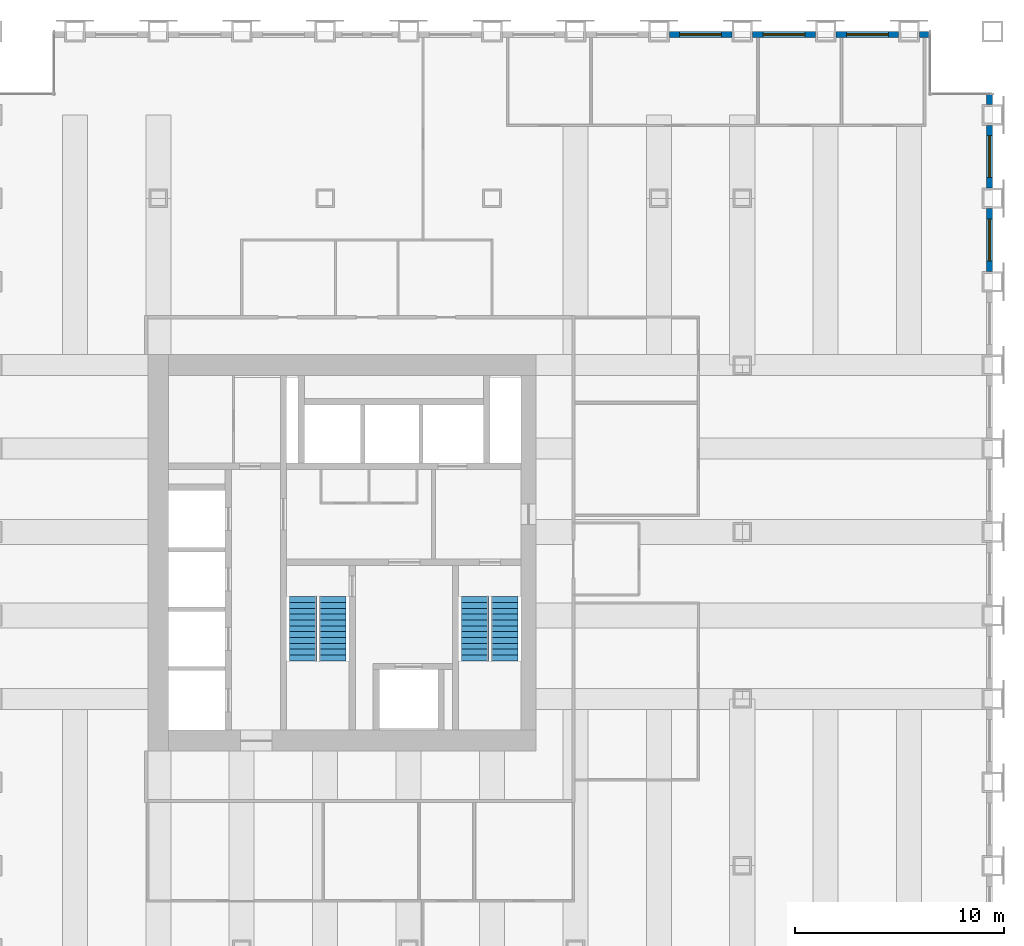
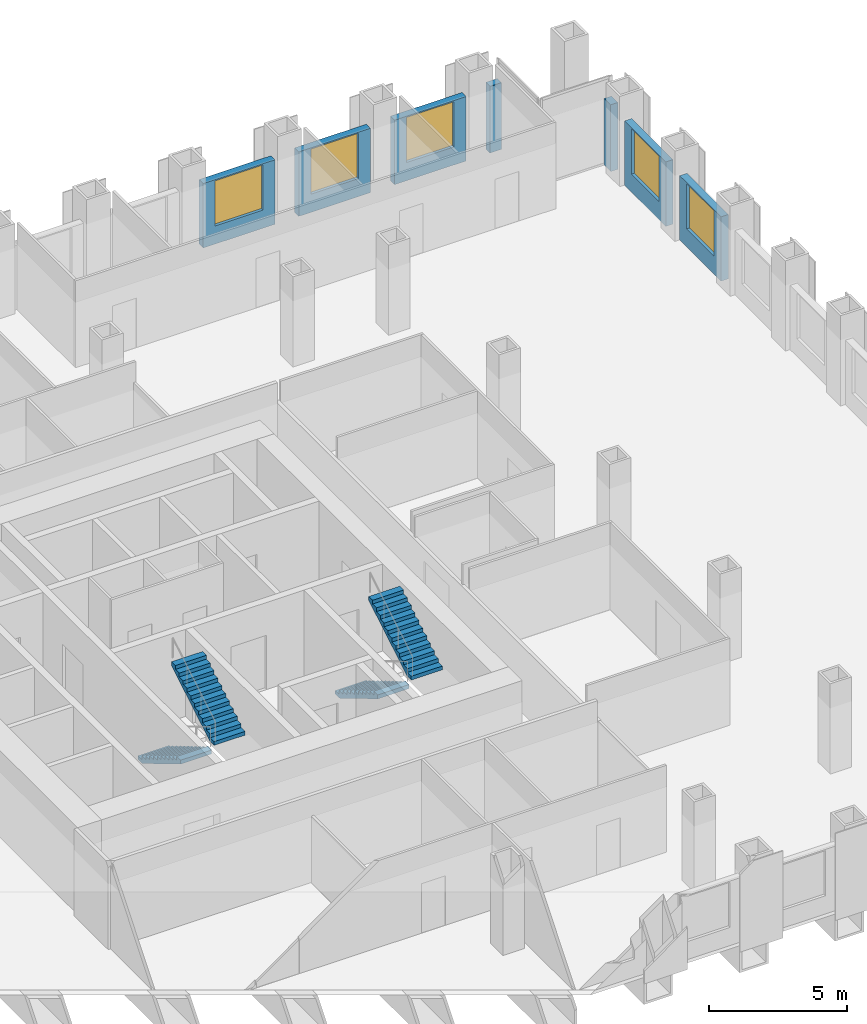
# One storey, part 13 of 14: 7 walls, 5 windows, 4 stair flights, 5 openings, 2 elements without a shape of their own.
"""IFC4 building model written with IfcOpenShell, lengths in metres."""

from ifc_helpers import new_model, si_unit, direction, frame, frame_2d, origin, place, context, subcontext, project, spatial, polyline, rectangle, outline, extrude, material, layer, layer_set, type_object, element, fill, aggregate, save


model = new_model("IFC4")

# Units and contexts
model_context = context("Model", 3, precision=1e-05, world=origin(), true_north=direction((0.0, 1.0)))
body_context = subcontext(model_context, "Body", "Model", "MODEL_VIEW")
ifc_project = project(units=[si_unit("LENGTHUNIT", "METRE"), si_unit("AREAUNIT", "SQUARE_METRE"), si_unit("VOLUMEUNIT", "CUBIC_METRE"), si_unit("PLANEANGLEUNIT", "RADIAN"), si_unit("MASSUNIT", "GRAM", prefix="KILO")], contexts=[model_context])

# Site, building, storey
site_placement = place(None, origin())
site = spatial("IfcSite", under=ifc_project, at=site_placement, CompositionType="ELEMENT")
building_placement = place(site_placement, origin())
building = spatial("IfcBuilding", under=site, at=building_placement, Name="Rimbunsela Tower", CompositionType="ELEMENT")
storey_placement = place(building_placement, frame((0.0, 0.0, 109.39990234375)))
storey = spatial("IfcBuildingStorey", under=building, at=storey_placement, Name="L26", CompositionType="ELEMENT", Elevation=109.39990234375)

# Wall, opening, window
ifc_material_1 = material(Name="Precast concrete fc' 35 MPa", Category="concrete")
ifc_layer = layer(ifc_material_1, 0.300048828125)
ifc_layer_set = layer_set([ifc_layer], Name="Precast concrete fc' 35 MPa")
wall_type = type_object("IfcWallType", Name="Precast facade panel 300", PredefinedType="ELEMENTEDWALL", material=ifc_layer_set)
wall_1_placement = place(storey_placement, frame((57.85009765625, 40.5, 0.0), z_axis=(0.0, 0.0, 1.0), x_axis=(0.0, 1.0, 0.0)))
wall_1 = element("IfcWall", 1, at=wall_1_placement, inside=storey, type_object=wall_type, Name="Facade panel E L26", PredefinedType="ELEMENTEDWALL", context=body_context, shape_type="SweptSolid", body=[
    extrude(rectangle(XDim=3.0, YDim=0.300048828125, at=frame_2d((1.5, 0.0))), origin(), (0.0, 0.0, 1.0), 2.85009765625),
])
opening_1_placement = place(wall_1_placement, frame((0.5, 0.0, 0.800048828125)))
opening_1 = element("IfcOpeningElement", 2, at=opening_1_placement, cuts=wall_1, Name="Opening W1", PredefinedType="OPENING", context=body_context, shape_type="SweptSolid", body=[
    extrude(rectangle(XDim=2.0, YDim=2.0, at=frame_2d((1.0, 1.0))), frame((0.0, 0.159912109375, 0.0), z_axis=(0.0, -1.0, 0.0), x_axis=(1.0, 0.0, 0.0)), (0.0, 0.0, 1.0), 0.320068359375),
])
ifc_material_2 = material(Name="Clear glass in aluminium frame", Category="aluminium")
window_type = type_object("IfcWindowType", Name="Window W1 2000x2000", PartitioningType="DOUBLE_PANEL_VERTICAL", PredefinedType="WINDOW", material=ifc_material_2)
window_1_placement = place(opening_1_placement, origin())
window_1 = element("IfcWindow", 3, at=window_1_placement, inside=storey, type_object=window_type, Name="Window L26", OverallHeight=2.0, OverallWidth=2.0, PartitioningType="SINGLE_PANEL", PredefinedType="WINDOW", context=body_context, shape_type="SweptSolid", body=[
    extrude(rectangle(XDim=2.0, YDim=2.0, at=frame_2d((1.0, 1.0))), frame((0.0, 0.030029296875, 0.0), z_axis=(0.0, -1.0, 0.0), x_axis=(1.0, 0.0, 0.0)), (0.0, 0.0, 1.0), 0.06005859375),
])
fill(opening_1, window_1)

wall_2_placement = place(storey_placement, frame((57.85009765625, 44.5, 0.0), z_axis=(0.0, 0.0, 1.0), x_axis=(0.0, 1.0, 0.0)))
wall_2 = element("IfcWall", 4, at=wall_2_placement, inside=storey, type_object=wall_type, Name="Facade panel E L26", PredefinedType="ELEMENTEDWALL", context=body_context, shape_type="SweptSolid", body=[
    extrude(rectangle(XDim=3.0, YDim=0.300048828125, at=frame_2d((1.5, 0.0))), origin(), (0.0, 0.0, 1.0), 2.85009765625),
])
opening_2_placement = place(wall_2_placement, frame((0.5, 0.0, 0.800048828125)))
opening_2 = element("IfcOpeningElement", 5, at=opening_2_placement, cuts=wall_2, Name="Opening W1", PredefinedType="OPENING", context=body_context, shape_type="SweptSolid", body=[
    extrude(rectangle(XDim=2.0, YDim=2.0, at=frame_2d((1.0, 1.0))), frame((0.0, 0.159912109375, 0.0), z_axis=(0.0, -1.0, 0.0), x_axis=(1.0, 0.0, 0.0)), (0.0, 0.0, 1.0), 0.320068359375),
])
window_2_placement = place(opening_2_placement, origin())
window_2 = element("IfcWindow", 6, at=window_2_placement, inside=storey, type_object=window_type, Name="Window L26", OverallHeight=2.0, OverallWidth=2.0, PartitioningType="SINGLE_PANEL", PredefinedType="WINDOW", context=body_context, shape_type="SweptSolid", body=[
    extrude(rectangle(XDim=2.0, YDim=2.0, at=frame_2d((1.0, 1.0))), frame((0.0, 0.030029296875, 0.0), z_axis=(0.0, -1.0, 0.0), x_axis=(1.0, 0.0, 0.0)), (0.0, 0.0, 1.0), 0.06005859375),
])
fill(opening_2, window_2)

# Wall
wall_3_placement = place(storey_placement, frame((57.85009765625, 48.5, 0.0), z_axis=(0.0, 0.0, 1.0), x_axis=(0.0, 1.0, 0.0)))
element("IfcWall", 7, at=wall_3_placement, inside=storey, type_object=wall_type, Name="Facade panel E L26", PredefinedType="ELEMENTEDWALL", context=body_context, shape_type="SweptSolid", body=[
    extrude(rectangle(XDim=0.469970703125, YDim=0.300048828125, at=frame_2d((0.23486328125, 0.0))), origin(), (0.0, 0.0, 1.0), 2.9501953125),
])

# Wall, opening, window
wall_4_placement = place(storey_placement, frame((45.5, 51.85009765625, 0.0), z_axis=(0.0, 0.0, 1.0), x_axis=(-1.0, 0.0, 0.0)))
wall_4 = element("IfcWall", 8, at=wall_4_placement, inside=storey, type_object=wall_type, Name="Facade panel N L26", PredefinedType="ELEMENTEDWALL", context=body_context, shape_type="SweptSolid", body=[
    extrude(rectangle(XDim=3.0, YDim=0.300048828125, at=frame_2d((1.5, 0.0))), origin(), (0.0, 0.0, 1.0), 2.85009765625),
])
opening_3_placement = place(wall_4_placement, frame((0.5, 0.0, 0.800048828125)))
opening_3 = element("IfcOpeningElement", 9, at=opening_3_placement, cuts=wall_4, Name="Opening W1", PredefinedType="OPENING", context=body_context, shape_type="SweptSolid", body=[
    extrude(rectangle(XDim=2.0, YDim=2.0, at=frame_2d((1.0, 1.0))), frame((0.0, 0.159912109375, 0.0), z_axis=(0.0, -1.0, 0.0), x_axis=(1.0, 0.0, 0.0)), (0.0, 0.0, 1.0), 0.320068359375),
])
window_3_placement = place(opening_3_placement, origin())
window_3 = element("IfcWindow", 10, at=window_3_placement, inside=storey, type_object=window_type, Name="Window L26", OverallHeight=2.0, OverallWidth=2.0, PartitioningType="SINGLE_PANEL", PredefinedType="WINDOW", context=body_context, shape_type="SweptSolid", body=[
    extrude(rectangle(XDim=2.0, YDim=2.0, at=frame_2d((1.0, 1.0))), frame((0.0, 0.030029296875, 0.0), z_axis=(0.0, -1.0, 0.0), x_axis=(1.0, 0.0, 0.0)), (0.0, 0.0, 1.0), 0.06005859375),
])
fill(opening_3, window_3)

wall_5_placement = place(storey_placement, frame((49.5, 51.85009765625, 0.0), z_axis=(0.0, 0.0, 1.0), x_axis=(-1.0, 0.0, 0.0)))
wall_5 = element("IfcWall", 11, at=wall_5_placement, inside=storey, type_object=wall_type, Name="Facade panel N L26", PredefinedType="ELEMENTEDWALL", context=body_context, shape_type="SweptSolid", body=[
    extrude(rectangle(XDim=3.0, YDim=0.300048828125, at=frame_2d((1.5, 0.0))), origin(), (0.0, 0.0, 1.0), 2.85009765625),
])
opening_4_placement = place(wall_5_placement, frame((0.5, 0.0, 0.800048828125)))
opening_4 = element("IfcOpeningElement", 12, at=opening_4_placement, cuts=wall_5, Name="Opening W1", PredefinedType="OPENING", context=body_context, shape_type="SweptSolid", body=[
    extrude(rectangle(XDim=2.0, YDim=2.0, at=frame_2d((1.0, 1.0))), frame((0.0, 0.159912109375, 0.0), z_axis=(0.0, -1.0, 0.0), x_axis=(1.0, 0.0, 0.0)), (0.0, 0.0, 1.0), 0.320068359375),
])
window_4_placement = place(opening_4_placement, origin())
window_4 = element("IfcWindow", 13, at=window_4_placement, inside=storey, type_object=window_type, Name="Window L26", OverallHeight=2.0, OverallWidth=2.0, PartitioningType="SINGLE_PANEL", PredefinedType="WINDOW", context=body_context, shape_type="SweptSolid", body=[
    extrude(rectangle(XDim=2.0, YDim=2.0, at=frame_2d((1.0, 1.0))), frame((0.0, 0.030029296875, 0.0), z_axis=(0.0, -1.0, 0.0), x_axis=(1.0, 0.0, 0.0)), (0.0, 0.0, 1.0), 0.06005859375),
])
fill(opening_4, window_4)

wall_6_placement = place(storey_placement, frame((53.5, 51.85009765625, 0.0), z_axis=(0.0, 0.0, 1.0), x_axis=(-1.0, 0.0, 0.0)))
wall_6 = element("IfcWall", 14, at=wall_6_placement, inside=storey, type_object=wall_type, Name="Facade panel N L26", PredefinedType="ELEMENTEDWALL", context=body_context, shape_type="SweptSolid", body=[
    extrude(rectangle(XDim=3.0, YDim=0.300048828125, at=frame_2d((1.5, 0.0))), origin(), (0.0, 0.0, 1.0), 2.85009765625),
])
opening_5_placement = place(wall_6_placement, frame((0.5, 0.0, 0.800048828125)))
opening_5 = element("IfcOpeningElement", 15, at=opening_5_placement, cuts=wall_6, Name="Opening W1", PredefinedType="OPENING", context=body_context, shape_type="SweptSolid", body=[
    extrude(rectangle(XDim=2.0, YDim=2.0, at=frame_2d((1.0, 1.0))), frame((0.0, 0.159912109375, 0.0), z_axis=(0.0, -1.0, 0.0), x_axis=(1.0, 0.0, 0.0)), (0.0, 0.0, 1.0), 0.320068359375),
])
window_5_placement = place(opening_5_placement, origin())
window_5 = element("IfcWindow", 16, at=window_5_placement, inside=storey, type_object=window_type, Name="Window L26", OverallHeight=2.0, OverallWidth=2.0, PartitioningType="SINGLE_PANEL", PredefinedType="WINDOW", context=body_context, shape_type="SweptSolid", body=[
    extrude(rectangle(XDim=2.0, YDim=2.0, at=frame_2d((1.0, 1.0))), frame((0.0, 0.030029296875, 0.0), z_axis=(0.0, -1.0, 0.0), x_axis=(1.0, 0.0, 0.0)), (0.0, 0.0, 1.0), 0.06005859375),
])
fill(opening_5, window_5)

# Wall
wall_7_placement = place(storey_placement, frame((54.969970703125, 51.85009765625, 0.0), z_axis=(0.0, 0.0, 1.0), x_axis=(-1.0, 0.0, 0.0)))
element("IfcWall", 17, at=wall_7_placement, inside=storey, type_object=wall_type, Name="Facade panel N L26", PredefinedType="ELEMENTEDWALL", context=body_context, shape_type="SweptSolid", body=[
    extrude(rectangle(XDim=0.469970703125, YDim=0.300048828125, at=frame_2d((0.23486328125, 0.0))), origin(), (0.0, 0.0, 1.0), 2.9501953125),
])

# Stair, stair flights
ifc_material_3 = material(Name="Concrete fc' 35 MPa", Category="concrete")
stair_type = type_object("IfcStairType", Name="Exit stair 24 risers", PredefinedType="HALF_TURN_STAIR", material=ifc_material_3)
stair_1_placement = place(storey_placement, origin())
stair_1 = element("IfcStair", 18, at=stair_1_placement, inside=storey, type_object=stair_type, Name="Exit stair A L26", PredefinedType="HALF_TURN_STAIR")
ifc_material_4 = material(Name="Concrete fc' 35 MPa", Category="concrete")
stair_flight_type = type_object("IfcStairFlightType", Name="Stair flight 12 risers 167", PredefinedType="STRAIGHT", material=ifc_material_4)
stair_flight_1_placement = place(storey_placement, frame((24.949951171875, 24.89990234375, 0.0), z_axis=(0.0, 0.0, 1.0), x_axis=(0.0, -1.0, 0.0)))
stair_flight_1 = element("IfcStairFlight", 19, at=stair_flight_1_placement, type_object=stair_flight_type, Name="ST-A flight 1", NumberOfRisers=12, NumberOfTreads=11, PredefinedType="STRAIGHT", RiserHeight=0.166666667, TreadLength=0.28, context=body_context, shape_type="SweptSolid", body=[
    extrude(outline(polyline([(0.0, 0.0), (0.0, 0.166748046875), (0.280029296875, 0.166748046875), (0.280029296875, 0.333251953125), (0.56005859375, 0.333251953125), (0.56005859375, 0.5), (0.840087890625, 0.5), (0.840087890625, 0.666748046875), (1.1201171875, 0.666748046875), (1.1201171875, 0.833251953125), (1.39990234375, 0.833251953125), (1.39990234375, 1.0), (1.679931640625, 1.0), (1.679931640625, 1.166748046875), (1.9599609375, 1.166748046875), (1.9599609375, 1.333251953125), (2.239990234375, 1.333251953125), (2.239990234375, 1.5), (2.52001953125, 1.5), (2.52001953125, 1.666748046875), (2.800048828125, 1.666748046875), (2.800048828125, 1.833251953125), (3.080078125, 1.833251953125), (3.080078125, 2.0), (3.080078125, 1.658935546875), (0.29296875, 0.0), (0.0, 0.0)])), frame((0.0, 0.64990234375, 0.0), z_axis=(0.0, -1.0, 0.0), x_axis=(1.0, 0.0, 0.0)), (0.0, 0.0, 1.0), 1.300048828125),
])
stair_flight_2_placement = place(storey_placement, frame((26.35009765625, 21.820068359375, 2.0), z_axis=(0.0, 0.0, 1.0), x_axis=(0.0, 1.0, 0.0)))
stair_flight_2 = element("IfcStairFlight", 20, at=stair_flight_2_placement, type_object=stair_flight_type, Name="ST-A flight 2", NumberOfRisers=12, NumberOfTreads=11, PredefinedType="STRAIGHT", RiserHeight=0.166666667, TreadLength=0.28, context=body_context, shape_type="SweptSolid", body=[
    extrude(outline(polyline([(0.0, 0.0), (0.0, 0.166748046875), (0.280029296875, 0.166748046875), (0.280029296875, 0.333251953125), (0.56005859375, 0.333251953125), (0.56005859375, 0.5), (0.840087890625, 0.5), (0.840087890625, 0.666748046875), (1.1201171875, 0.666748046875), (1.1201171875, 0.833251953125), (1.39990234375, 0.833251953125), (1.39990234375, 1.0), (1.679931640625, 1.0), (1.679931640625, 1.166748046875), (1.9599609375, 1.166748046875), (1.9599609375, 1.333251953125), (2.239990234375, 1.333251953125), (2.239990234375, 1.5), (2.52001953125, 1.5), (2.52001953125, 1.666748046875), (2.800048828125, 1.666748046875), (2.800048828125, 1.833251953125), (3.080078125, 1.833251953125), (3.080078125, 2.0), (3.080078125, 1.658935546875), (0.29296875, 0.0), (0.0, 0.0)])), frame((0.0, 0.64990234375, 0.0), z_axis=(0.0, -1.0, 0.0), x_axis=(1.0, 0.0, 0.0)), (0.0, 0.0, 1.0), 1.300048828125),
])
aggregate(stair_1, [stair_flight_1, stair_flight_2])

stair_2_placement = place(storey_placement, origin())
stair_2 = element("IfcStair", 21, at=stair_2_placement, inside=storey, type_object=stair_type, Name="Exit stair B L26", PredefinedType="HALF_TURN_STAIR")
stair_flight_3_placement = place(storey_placement, frame((33.199951171875, 24.89990234375, 0.0), z_axis=(0.0, 0.0, 1.0), x_axis=(0.0, -1.0, 0.0)))
stair_flight_3 = element("IfcStairFlight", 22, at=stair_flight_3_placement, type_object=stair_flight_type, Name="ST-B flight 1", NumberOfRisers=12, NumberOfTreads=11, PredefinedType="STRAIGHT", RiserHeight=0.166666667, TreadLength=0.28, context=body_context, shape_type="SweptSolid", body=[
    extrude(outline(polyline([(0.0, 0.0), (0.0, 0.166748046875), (0.280029296875, 0.166748046875), (0.280029296875, 0.333251953125), (0.56005859375, 0.333251953125), (0.56005859375, 0.5), (0.840087890625, 0.5), (0.840087890625, 0.666748046875), (1.1201171875, 0.666748046875), (1.1201171875, 0.833251953125), (1.39990234375, 0.833251953125), (1.39990234375, 1.0), (1.679931640625, 1.0), (1.679931640625, 1.166748046875), (1.9599609375, 1.166748046875), (1.9599609375, 1.333251953125), (2.239990234375, 1.333251953125), (2.239990234375, 1.5), (2.52001953125, 1.5), (2.52001953125, 1.666748046875), (2.800048828125, 1.666748046875), (2.800048828125, 1.833251953125), (3.080078125, 1.833251953125), (3.080078125, 2.0), (3.080078125, 1.658935546875), (0.29296875, 0.0), (0.0, 0.0)])), frame((0.0, 0.64990234375, 0.0), z_axis=(0.0, -1.0, 0.0), x_axis=(1.0, 0.0, 0.0)), (0.0, 0.0, 1.0), 1.300048828125),
])
stair_flight_4_placement = place(storey_placement, frame((34.60009765625, 21.820068359375, 2.0), z_axis=(0.0, 0.0, 1.0), x_axis=(0.0, 1.0, 0.0)))
stair_flight_4 = element("IfcStairFlight", 23, at=stair_flight_4_placement, type_object=stair_flight_type, Name="ST-B flight 2", NumberOfRisers=12, NumberOfTreads=11, PredefinedType="STRAIGHT", RiserHeight=0.166666667, TreadLength=0.28, context=body_context, shape_type="SweptSolid", body=[
    extrude(outline(polyline([(0.0, 0.0), (0.0, 0.166748046875), (0.280029296875, 0.166748046875), (0.280029296875, 0.333251953125), (0.56005859375, 0.333251953125), (0.56005859375, 0.5), (0.840087890625, 0.5), (0.840087890625, 0.666748046875), (1.1201171875, 0.666748046875), (1.1201171875, 0.833251953125), (1.39990234375, 0.833251953125), (1.39990234375, 1.0), (1.679931640625, 1.0), (1.679931640625, 1.166748046875), (1.9599609375, 1.166748046875), (1.9599609375, 1.333251953125), (2.239990234375, 1.333251953125), (2.239990234375, 1.5), (2.52001953125, 1.5), (2.52001953125, 1.666748046875), (2.800048828125, 1.666748046875), (2.800048828125, 1.833251953125), (3.080078125, 1.833251953125), (3.080078125, 2.0), (3.080078125, 1.658935546875), (0.29296875, 0.0), (0.0, 0.0)])), frame((0.0, 0.64990234375, 0.0), z_axis=(0.0, -1.0, 0.0), x_axis=(1.0, 0.0, 0.0)), (0.0, 0.0, 1.0), 1.300048828125),
])
aggregate(stair_2, [stair_flight_3, stair_flight_4])

save(model, "model.ifc")
